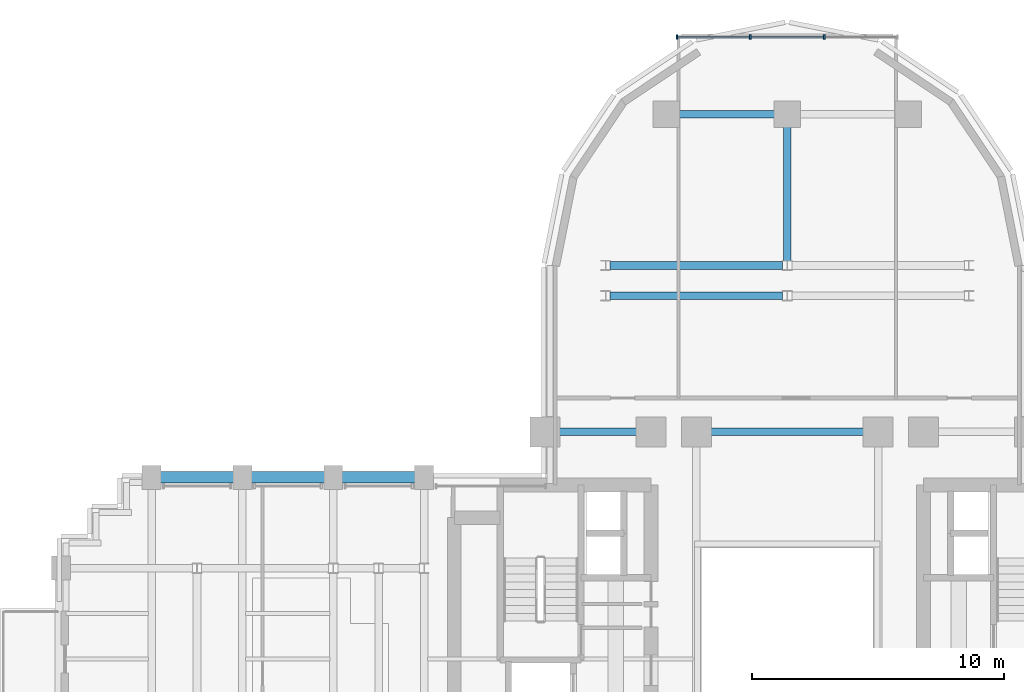
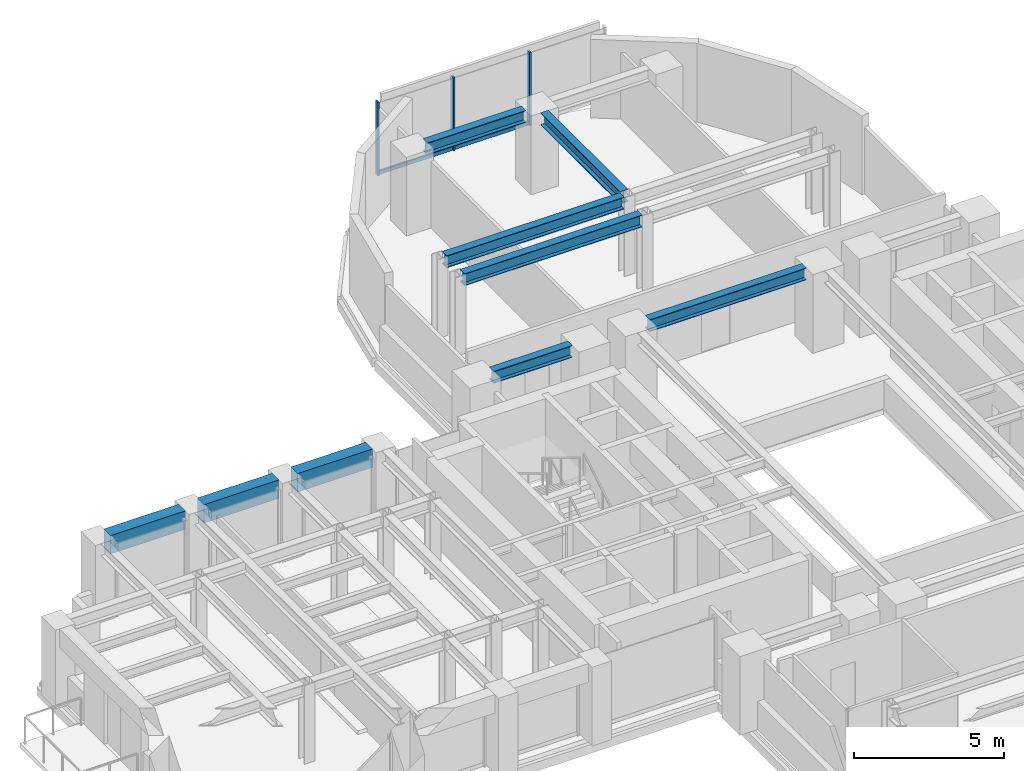
# One storey, part 7 of 15: 9 beams, 5 members, 1 element without a shape of its own.
"""IFC4 building model written with IfcOpenShell, lengths in metres."""

from ifc_helpers import new_model, si_unit, direction, frame, origin, origin_2d, place, context, subcontext, project, spatial, rectangle, i_section, extrude, source, transform, mapped, material, material_profile, profile_set, type_object, element, aggregate, save


model = new_model("IFC4")

# Units and contexts
model_context = context("Model", 3, precision=1e-05, world=origin(), true_north=direction((0.0, 1.0)))
body_context = subcontext(model_context, "Body", "Model", "MODEL_VIEW")
ifc_project = project(units=[si_unit("LENGTHUNIT", "METRE"), si_unit("AREAUNIT", "SQUARE_METRE"), si_unit("VOLUMEUNIT", "CUBIC_METRE"), si_unit("PLANEANGLEUNIT", "RADIAN"), si_unit("MASSUNIT", "GRAM", prefix="KILO")], contexts=[model_context])

# Site, building, storey
site_placement = place(None, origin())
site = spatial("IfcSite", under=ifc_project, at=site_placement, CompositionType="ELEMENT")
building_placement = place(site_placement, origin())
building = spatial("IfcBuilding", under=site, at=building_placement, Name="Keilestroom Media Tower", CompositionType="ELEMENT")
storey_placement = place(building_placement, frame((0.0, 0.0, 40.800048828125)))
storey = spatial("IfcBuildingStorey", under=building, at=storey_placement, Name="L09", CompositionType="ELEMENT", Elevation=40.800048828125)

# Beams
ifc_material_1 = material(Name="Precast concrete C40/50", Category="concrete")
ifc_material_profile_1 = material_profile(ifc_material_1, rectangle(XDim=0.449951171875, YDim=0.75, at=origin_2d()), Name="PC 450x750")
ifc_profile_set_1 = profile_set([ifc_material_profile_1], Name="Precast concrete C40/50")
beam_type_1 = type_object("IfcBeamType", Name="Perimeter-Spandrel-Beam-PC-450x750", PredefinedType="SPANDREL", material=ifc_profile_set_1)
shared_shape_1 = source(origin(), body_context, "Body", "SweptSolid", [
    extrude(rectangle(XDim=0.449951171875, YDim=0.75, at=origin_2d()), origin(), (0.0, 0.0, 1.0), 2.889892578125),
])
beam_1_placement = place(storey_placement, frame((-24.844970703125, 7.199951171875, 2.824951171875), z_axis=(1.0, 0.0, 0.0), x_axis=(0.0, 1.0, 0.0)))
element("IfcBeam", 1, at=beam_1_placement, inside=storey, type_object=beam_type_1, Name="L09 Beam SPB-1 BM-L09-EW-034", PredefinedType="SPANDREL", context=body_context, shape_type="MappedRepresentation", body=[
    mapped(shared_shape_1, transform((0.0, 0.0, 0.0), x_axis=(1.0, 0.0, 0.0), y_axis=(0.0, 1.0, 0.0), z_axis=(0.0, 0.0, 1.0), scale=1.0)),
])
shared_shape_2 = source(origin(), body_context, "Body", "SweptSolid", [
    extrude(rectangle(XDim=0.449951171875, YDim=0.75, at=origin_2d()), origin(), (0.0, 0.0, 1.0), 2.89013671875),
])
for number, where, z_axis, x_axis, name in (
    (2, (-21.2451171875, 7.199951171875, 2.824951171875), (1.0, 0.0, 0.0), (0.0, 1.0, 0.0), "L09 Beam SPB-1 BM-L09-EW-035"),
    (3, (-17.64501953125, 7.199951171875, 2.824951171875), (1.0, 0.0, 0.0), (0.0, 1.0, 0.0), "L09 Beam SPB-1 BM-L09-EW-036"),
):
    element("IfcBeam", number, at=place(storey_placement, frame(where, z_axis=z_axis, x_axis=x_axis)), inside=storey, type_object=beam_type_1, Name=name, PredefinedType="SPANDREL", context=body_context, shape_type="MappedRepresentation", body=[
        mapped(shared_shape_2, transform((0.0, 0.0, 0.0), x_axis=(1.0, 0.0, 0.0), y_axis=(0.0, 1.0, 0.0), z_axis=(0.0, 0.0, 1.0), scale=1.0)),
    ])
ifc_material_2 = material(Name="Steel S355", Category="steel")
ifc_material_profile_2 = material_profile(ifc_material_2, i_section(OverallWidth=0.300048828125, OverallDepth=0.5, WebThickness=0.012451171875, FlangeThickness=0.028076171875, at=origin_2d()), Name="HEB 500")
ifc_profile_set_2 = profile_set([ifc_material_profile_2], Name="Steel S355")
beam_type_2 = type_object("IfcBeamType", Name="Primary-Structural-Girder-HEB-500", PredefinedType="BEAM", material=ifc_profile_set_2)
shared_shape_3 = source(origin(), body_context, "Body", "SweptSolid", [
    extrude(i_section(OverallWidth=0.300048828125, OverallDepth=0.5, WebThickness=0.012451171875, FlangeThickness=0.028076171875, at=origin_2d()), origin(), (0.0, 0.0, 1.0), 5.3115234375),
])
beam_2_placement = place(storey_placement, frame((0.0, 15.783447265625, 2.949951171875), z_axis=(0.0, 1.0, 0.0), x_axis=(-1.0, 0.0, 0.0)))
element("IfcBeam", 4, at=beam_2_placement, inside=storey, type_object=beam_type_2, Name="L09 Beam BG-6 BM-L09-NS-070", PredefinedType="BEAM", context=body_context, shape_type="MappedRepresentation", body=[
    mapped(shared_shape_3, transform((0.0, 0.0, 0.0), x_axis=(1.0, 0.0, 0.0), y_axis=(0.0, 1.0, 0.0), z_axis=(0.0, 0.0, 1.0), scale=1.0)),
])
ifc_material_profile_3 = material_profile(ifc_material_2, i_section(OverallWidth=0.300048828125, OverallDepth=0.489990234375, WebThickness=0.011962890625, FlangeThickness=0.02294921875, at=origin_2d()), Name="HEA 500")
ifc_profile_set_3 = profile_set([ifc_material_profile_3], Name="Steel S355")
beam_type_3 = type_object("IfcBeamType", Name="Primary-Structural-Girder-HEA-500", PredefinedType="BEAM", material=ifc_profile_set_3)
shared_shape_4 = source(origin(), body_context, "Body", "SweptSolid", [
    extrude(i_section(OverallWidth=0.300048828125, OverallDepth=0.489990234375, WebThickness=0.011962890625, FlangeThickness=0.02294921875, at=origin_2d()), origin(), (0.0, 0.0, 1.0), 3.7900390625),
])
beam_3_placement = place(storey_placement, frame((-4.294921875, 21.60009765625, 2.954833984375), z_axis=(1.0, 0.0, 0.0), x_axis=(0.0, 1.0, 0.0)))
element("IfcBeam", 5, at=beam_3_placement, inside=storey, type_object=beam_type_3, Name="L09 Beam BG-10 BM-L09-EW-049", PredefinedType="BEAM", context=body_context, shape_type="MappedRepresentation", body=[
    mapped(shared_shape_4, transform((0.0, 0.0, 0.0), x_axis=(1.0, 0.0, 0.0), y_axis=(0.0, 1.0, 0.0), z_axis=(0.0, 0.0, 1.0), scale=1.0)),
])
shared_shape_5 = source(origin(), body_context, "Body", "SweptSolid", [
    extrude(i_section(OverallWidth=0.300048828125, OverallDepth=0.489990234375, WebThickness=0.011962890625, FlangeThickness=0.02294921875, at=origin_2d()), origin(), (0.0, 0.0, 1.0), 6.836181640625),
])
for number, where, z_axis, x_axis, name in (
    (6, (-7.01806640625, 14.39990234375, 2.954833984375), (1.0, 0.0, 0.0), (0.0, 1.0, 0.0), "L09 Beam BG-10 BM-L09-EW-045"),
    (7, (-7.01806640625, 15.60009765625, 2.954833984375), (1.0, 0.0, 0.0), (0.0, 1.0, 0.0), "L09 Beam BG-10 BM-L09-EW-047"),
):
    element("IfcBeam", number, at=place(storey_placement, frame(where, z_axis=z_axis, x_axis=x_axis)), inside=storey, type_object=beam_type_3, Name=name, PredefinedType="BEAM", context=body_context, shape_type="MappedRepresentation", body=[
        mapped(shared_shape_5, transform((0.0, 0.0, 0.0), x_axis=(1.0, 0.0, 0.0), y_axis=(0.0, 1.0, 0.0), z_axis=(0.0, 0.0, 1.0), scale=1.0)),
    ])
shared_shape_6 = source(origin(), body_context, "Body", "SweptSolid", [
    extrude(i_section(OverallWidth=0.300048828125, OverallDepth=0.489990234375, WebThickness=0.011962890625, FlangeThickness=0.02294921875, at=origin_2d()), origin(), (0.0, 0.0, 1.0), 3.0400390625),
])
beam_4_placement = place(storey_placement, frame((-9.02001953125, 9.0, 2.954833984375), z_axis=(1.0, 0.0, 0.0), x_axis=(0.0, 1.0, 0.0)))
element("IfcBeam", 8, at=beam_4_placement, inside=storey, type_object=beam_type_3, Name="L09 Beam BG-10 BM-L09-EW-040", PredefinedType="BEAM", context=body_context, shape_type="MappedRepresentation", body=[
    mapped(shared_shape_6, transform((0.0, 0.0, 0.0), x_axis=(1.0, 0.0, 0.0), y_axis=(0.0, 1.0, 0.0), z_axis=(0.0, 0.0, 1.0), scale=1.0)),
])
shared_shape_7 = source(origin(), body_context, "Body", "SweptSolid", [
    extrude(i_section(OverallWidth=0.300048828125, OverallDepth=0.489990234375, WebThickness=0.011962890625, FlangeThickness=0.02294921875, at=origin_2d()), origin(), (0.0, 0.0, 1.0), 6.0400390625),
])
beam_5_placement = place(storey_placement, frame((-3.02001953125, 9.0, 2.954833984375), z_axis=(1.0, 0.0, 0.0), x_axis=(0.0, 1.0, 0.0)))
element("IfcBeam", 9, at=beam_5_placement, inside=storey, type_object=beam_type_3, Name="L09 Beam BG-10 BM-L09-EW-042", PredefinedType="BEAM", context=body_context, shape_type="MappedRepresentation", body=[
    mapped(shared_shape_7, transform((0.0, 0.0, 0.0), x_axis=(1.0, 0.0, 0.0), y_axis=(0.0, 1.0, 0.0), z_axis=(0.0, 0.0, 1.0), scale=1.0)),
])

# Curtain wall, members
ifc_material_3 = material(Name="Anodised Aluminium Alloy", Category="aluminium")
curtain_wall_type = type_object("IfcCurtainWallType", Name="Unitised-Curtain-Wall-CW-6", PredefinedType="NOTDEFINED", material=ifc_material_3)
curtain_wall_placement = place(storey_placement, origin())
curtain_wall = element("IfcCurtainWall", 10, at=curtain_wall_placement, inside=storey, type_object=curtain_wall_type, Name="L09 Curtain Wall CW-6 CW-L09-LN-1", PredefinedType="NOTDEFINED")
ifc_material_profile_4 = material_profile(ifc_material_3, rectangle(XDim=0.06494140625, YDim=0.179931640625, at=origin_2d()), Name="ALU MULLION 65x180")
ifc_profile_set_4 = profile_set([ifc_material_profile_4], Name="Anodised Aluminium Alloy")
member_type_1 = type_object("IfcMemberType", Name="Curtain-Wall-Mullion-CW-6", PredefinedType="MULLION", material=ifc_profile_set_4)
shared_shape_8 = source(origin(), body_context, "Body", "SweptSolid", [
    extrude(rectangle(XDim=0.06494140625, YDim=0.179931640625, at=origin_2d()), origin(), (0.0, 0.0, 1.0), 2.97998046875),
])
member_1_placement = place(storey_placement, frame((-4.367431640625, 24.64990234375, 0.0), z_axis=(0.0, 0.0, 1.0), x_axis=(1.0, 0.0, 0.0)))
member_1 = element("IfcMember", 11, at=member_1_placement, type_object=member_type_1, Name="CW-6 Mullion 00", PredefinedType="MULLION", context=body_context, shape_type="MappedRepresentation", body=[
    mapped(shared_shape_8, transform((0.0, 0.0, 0.0), x_axis=(1.0, 0.0, 0.0), y_axis=(0.0, 1.0, 0.0), z_axis=(0.0, 0.0, 1.0), scale=1.0)),
])
member_2_placement = place(storey_placement, frame((-1.466796875, 24.64990234375, 0.0), z_axis=(0.0, 0.0, 1.0), x_axis=(1.0, 0.0, 0.0)))
member_2 = element("IfcMember", 12, at=member_2_placement, type_object=member_type_1, Name="CW-6 Mullion 01", PredefinedType="MULLION", context=body_context, shape_type="MappedRepresentation", body=[
    mapped(shared_shape_8, transform((0.0, 0.0, 0.0), x_axis=(1.0, 0.0, 0.0), y_axis=(0.0, 1.0, 0.0), z_axis=(0.0, 0.0, 1.0), scale=1.0)),
])
member_3_placement = place(storey_placement, frame((1.466796875, 24.64990234375, 0.0), z_axis=(0.0, 0.0, 1.0), x_axis=(1.0, 0.0, 0.0)))
member_3 = element("IfcMember", 13, at=member_3_placement, type_object=member_type_1, Name="CW-6 Mullion 02", PredefinedType="MULLION", context=body_context, shape_type="MappedRepresentation", body=[
    mapped(shared_shape_8, transform((0.0, 0.0, 0.0), x_axis=(1.0, 0.0, 0.0), y_axis=(0.0, 1.0, 0.0), z_axis=(0.0, 0.0, 1.0), scale=1.0)),
])
ifc_material_profile_5 = material_profile(ifc_material_3, rectangle(XDim=0.06494140625, YDim=0.14990234375, at=origin_2d()), Name="ALU TRANSOM 65x150")
ifc_profile_set_5 = profile_set([ifc_material_profile_5], Name="Anodised Aluminium Alloy")
member_type_2 = type_object("IfcMemberType", Name="Curtain-Wall-Transom-CW-6", PredefinedType="USERDEFINED", material=ifc_profile_set_5)
shared_shape_9 = source(origin(), body_context, "Body", "SweptSolid", [
    extrude(rectangle(XDim=0.06494140625, YDim=0.14990234375, at=origin_2d()), origin(), (0.0, 0.0, 1.0), 2.839599609375),
])
member_4_placement = place(storey_placement, frame((-4.3369140625, 24.64990234375, 0.074951171875), z_axis=(1.0, 0.0, 0.0), x_axis=(0.0, 1.0, 0.0)))
member_4 = element("IfcMember", 14, at=member_4_placement, type_object=member_type_2, Name="CW-6 Transom 00.1", ObjectType="TRANSOM", PredefinedType="USERDEFINED", context=body_context, shape_type="MappedRepresentation", body=[
    mapped(shared_shape_9, transform((0.0, 0.0, 0.0), x_axis=(1.0, 0.0, 0.0), y_axis=(0.0, 1.0, 0.0), z_axis=(0.0, 0.0, 1.0), scale=1.0)),
])
shared_shape_10 = source(origin(), body_context, "Body", "SweptSolid", [
    extrude(rectangle(XDim=0.06494140625, YDim=0.14990234375, at=origin_2d()), origin(), (0.0, 0.0, 1.0), 2.87255859375),
])
member_5_placement = place(storey_placement, frame((-1.436279296875, 24.64990234375, 0.074951171875), z_axis=(1.0, 0.0, 0.0), x_axis=(0.0, 1.0, 0.0)))
member_5 = element("IfcMember", 15, at=member_5_placement, type_object=member_type_2, Name="CW-6 Transom 01.1", ObjectType="TRANSOM", PredefinedType="USERDEFINED", context=body_context, shape_type="MappedRepresentation", body=[
    mapped(shared_shape_10, transform((0.0, 0.0, 0.0), x_axis=(1.0, 0.0, 0.0), y_axis=(0.0, 1.0, 0.0), z_axis=(0.0, 0.0, 1.0), scale=1.0)),
])
aggregate(curtain_wall, [member_1, member_2, member_3, member_4, member_5])

save(model, "model.ifc")
